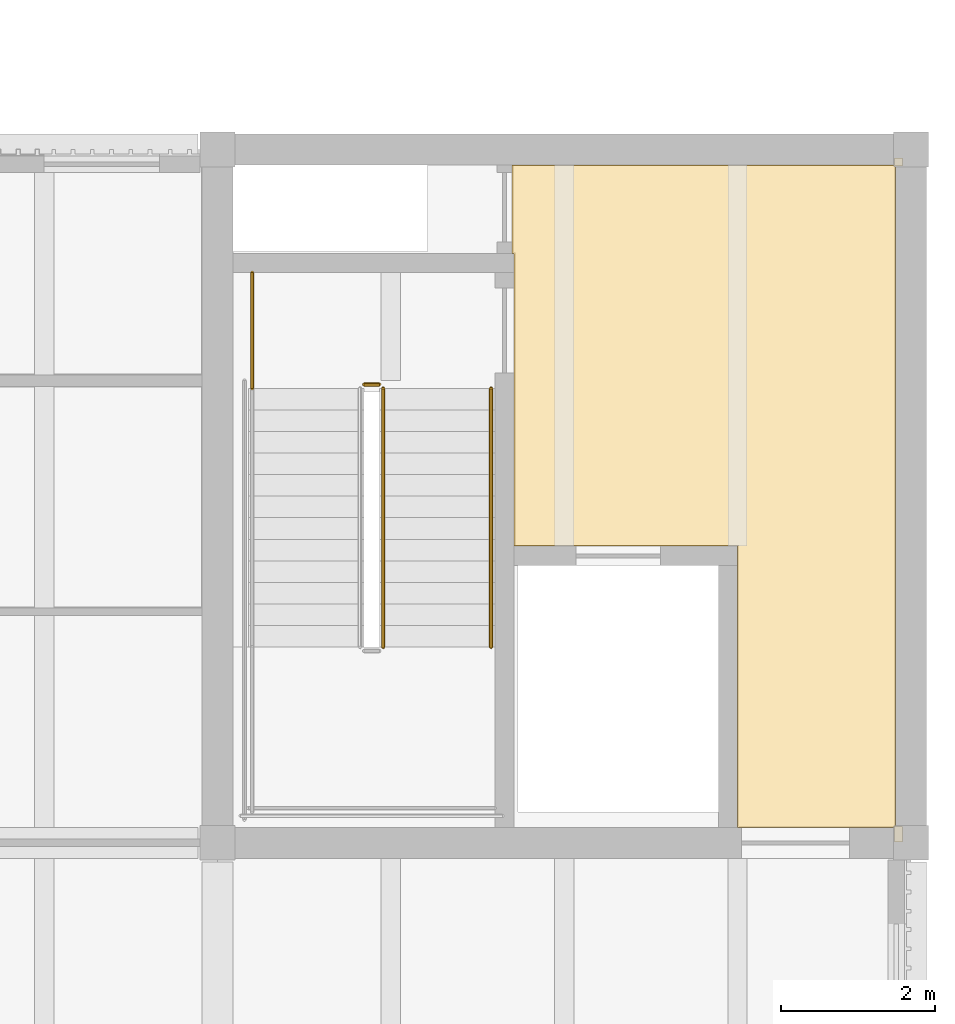
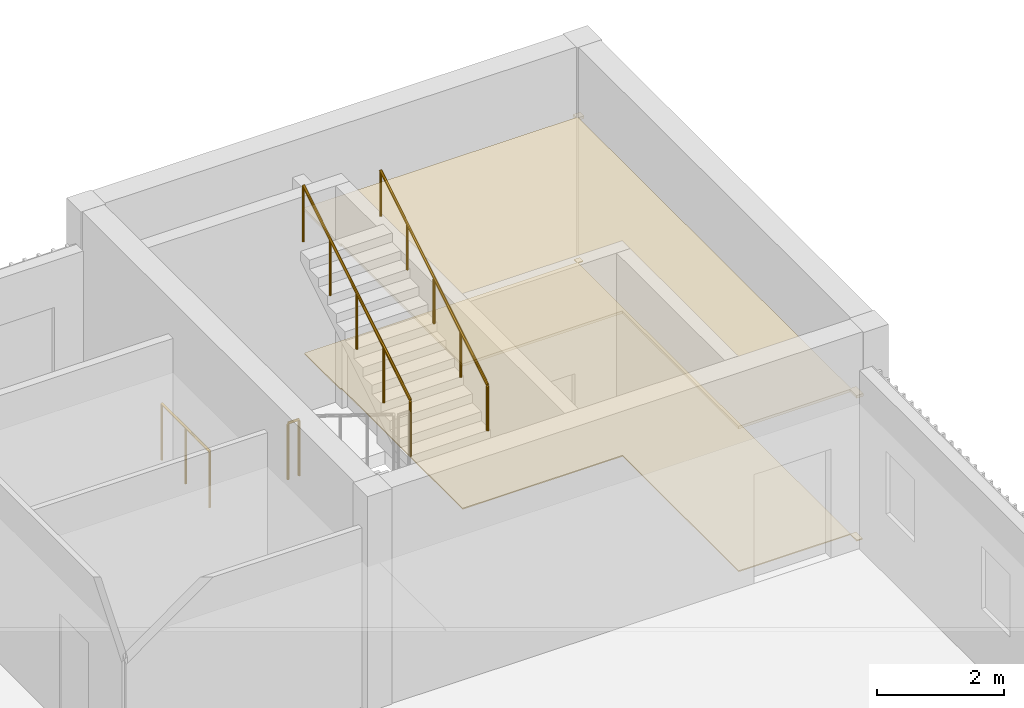
# One storey, part 88 of 88: 4 railings, 2 coverings.
"""IFC4 building model written with IfcOpenShell, lengths in metres."""

import ifcopenshell
import ifcopenshell.guid

model = None  # the IFC model being written
_history = None  # IfcOwnerHistory: only IFC2X3 demands one
_inside = {}  # id of a spatial element -> (the spatial element, [elements in it])
_under = {}  # id of a project, library or spatial element -> (it, [spatial elements below it])
_declared = {}  # id of a project -> (the project, [libraries it declares])
_typed = {}  # id of a type object -> (the type object, [elements of that type])
_made_of = {}  # id of a material, layer set ... -> (it, [elements and type objects made of it])


def new_model(schema):
    """Start an empty IFC model of exactly this schema.

    Asked for "IFC4X3", IfcOpenShell would pick the latest addendum, in which some entities
    have other attributes; the version numbers below select the first issue.
    IFC2X3 requires an IfcOwnerHistory on every rooted entity: one is made here for all.
    """
    global model, _history
    if schema == "IFC4X3":
        model = ifcopenshell.file(schema_version=(4, 3, 0, 0))
    else:
        model = ifcopenshell.file(schema=schema)
    _inside.clear()
    _under.clear()
    _declared.clear()
    _typed.clear()
    _made_of.clear()
    _history = None
    if model.schema == "IFC2X3":
        org = make("IfcOrganization", Name="unknown")
        user = make(
            "IfcPersonAndOrganization",
            ThePerson=make("IfcPerson", FamilyName="unknown"),
            TheOrganization=org,
        )
        app = make(
            "IfcApplication",
            ApplicationDeveloper=org,
            Version="unknown",
            ApplicationFullName="unknown",
            ApplicationIdentifier="unknown",
        )
        _history = make(
            "IfcOwnerHistory",
            OwningUser=user,
            OwningApplication=app,
            ChangeAction="ADDED",
            CreationDate=0,
        )
    return model


def make(cls, **values):
    """One entity of the class cls with the attributes given. An attribute that is None is left unset."""
    return model.create_entity(
        cls, **{name: value for name, value in values.items() if value is not None}
    )


def rooted(cls, **values):
    """An entity with a GlobalId (a new one), such as an element, a storey or a relation."""
    return make(cls, GlobalId=ifcopenshell.guid.new(), OwnerHistory=_history, **values)


def si_unit(unit_type, name, prefix=None):
    """IfcSIUnit, for example si_unit("LENGTHUNIT", "METRE", prefix="MILLI")."""
    return make("IfcSIUnit", UnitType=unit_type, Prefix=prefix, Name=name)


def assignment(units):
    """IfcUnitAssignment: the units of a project."""
    return None if units is None else make("IfcUnitAssignment", Units=units)


def point(xyz):
    """IfcCartesianPoint."""
    return None if xyz is None else make("IfcCartesianPoint", Coordinates=xyz)


def direction(xyz):
    """IfcDirection."""
    return None if xyz is None else make("IfcDirection", DirectionRatios=xyz)


def frame(location, z_axis=None, x_axis=None):
    """IfcAxis2Placement3D, a coordinate frame: its origin and axes. An axis left out is left unset."""
    return make(
        "IfcAxis2Placement3D",
        Location=point(location),
        Axis=direction(z_axis),
        RefDirection=direction(x_axis),
    )


def frame_2d(location, x_axis=None):
    """IfcAxis2Placement2D, a coordinate frame in the plane: its origin and x axis."""
    return make(
        "IfcAxis2Placement2D", Location=point(location), RefDirection=direction(x_axis)
    )


def origin():
    """The frame at (0, 0, 0) with its axes left unset."""
    return frame((0.0, 0.0, 0.0))


def origin_2d():
    """The frame at (0, 0) in the plane with its x axis left unset."""
    return frame_2d((0.0, 0.0))


def place(relative_to, where):
    """IfcLocalPlacement: puts the frame where relative to a parent placement (None: the world)."""
    return make(
        "IfcLocalPlacement", PlacementRelTo=relative_to, RelativePlacement=where
    )


def context(
    kind, dimensions, precision=None, world=None, true_north=None, identifier=None
):
    """IfcGeometricRepresentationContext, for example the 3D "Model" context."""
    return make(
        "IfcGeometricRepresentationContext",
        ContextIdentifier=identifier,
        ContextType=kind,
        CoordinateSpaceDimension=dimensions,
        Precision=precision,
        WorldCoordinateSystem=world,
        TrueNorth=true_north,
    )


def subcontext(parent, identifier, kind, view, scale=None):
    """IfcGeometricRepresentationSubContext, for example "Body" below "Model"."""
    return make(
        "IfcGeometricRepresentationSubContext",
        ContextIdentifier=identifier,
        ContextType=kind,
        ParentContext=parent,
        TargetScale=scale,
        TargetView=view,
    )


def project(units=None, contexts=None):
    """IfcProject with its units and contexts."""
    return rooted(
        "IfcProject",
        Name="project",
        RepresentationContexts=contexts,
        UnitsInContext=assignment(units),
    )


def spatial(cls, under=None, at=None, **own):
    """A site, building, storey or space (cls), placed at a placement, below another one or the project."""
    s = rooted(cls, ObjectPlacement=at, **own)
    if under is not None:
        _under.setdefault(under.id(), (under, []))[1].append(s)
    return s


def polyline(points):
    """IfcPolyline through the points."""
    return make("IfcPolyline", Points=[point(p) for p in points])


def profile(cls, at=None, kind="AREA", **sizes):
    """A parametric profile (cls). Its sizes go by their IFC names, for example OverallWidth=200.0."""
    return make(cls, ProfileType=kind, Position=at, **sizes)


def circle(**sizes):
    """IfcCircleProfileDef."""
    return profile("IfcCircleProfileDef", **sizes)


def outline(outer, holes=None, kind="AREA"):
    """IfcArbitraryClosedProfileDef: a profile drawn as a closed curve; with holes, ...WithVoids."""
    if holes is None:
        return make("IfcArbitraryClosedProfileDef", ProfileType=kind, OuterCurve=outer)
    return make(
        "IfcArbitraryProfileDefWithVoids",
        ProfileType=kind,
        OuterCurve=outer,
        InnerCurves=holes,
    )


def extrude(swept, where, along, depth):
    """IfcExtrudedAreaSolid: the profile swept, set in the frame where, extruded along a direction by depth."""
    return make(
        "IfcExtrudedAreaSolid",
        SweptArea=swept,
        Position=where,
        ExtrudedDirection=direction(along),
        Depth=depth,
    )


def shape(context_of_items, identifier, shape_type, items):
    """IfcShapeRepresentation: the items that make up one representation, for example the "Body"."""
    return make(
        "IfcShapeRepresentation",
        ContextOfItems=context_of_items,
        RepresentationIdentifier=identifier,
        RepresentationType=shape_type,
        Items=items,
    )


def material(Name=None, Category=None):
    """IfcMaterial."""
    return make("IfcMaterial", Name=Name, Category=Category)


def layer(
    of_material, thickness, ventilated=None, Name=None, Category=None, Priority=None
):
    """IfcMaterialLayer: one layer of a wall or slab, of a material (None: an air gap)."""
    return make(
        "IfcMaterialLayer",
        Material=of_material,
        LayerThickness=thickness,
        IsVentilated=ventilated,
        Name=Name,
        Category=Category,
        Priority=Priority,
    )


def layer_set(layers, Name=None):
    """IfcMaterialLayerSet."""
    return make("IfcMaterialLayerSet", MaterialLayers=layers, LayerSetName=Name)


def made_of(thing, what):
    """Note that an element or type object is made of a material, layer set ...; save() writes the relation."""
    if what is not None:
        _made_of.setdefault(what.id(), (what, []))[1].append(thing)
    return thing


def type_object(cls, material=None, **own):
    """A type object (cls), such as IfcWallType, which elements share."""
    return made_of(rooted(cls, **own), material)


def element(
    cls,
    number,
    at=None,
    inside=None,
    cuts=None,
    type_object=None,
    material=None,
    context=None,
    identifier="Body",
    shape_type=None,
    held_by="IfcProductDefinitionShape",
    body=None,
    shapes=None,
    **own,
):
    """One element of the class cls, such as IfcWall. Its Tag is "e" and its number.

    at: its placement. inside: the storey or other place that contains it. cuts: it is an
    opening in that element (IfcRelVoidsElement). A single representation is given by context,
    identifier, shape_type and body (its items); several are given by shapes. held_by: the class
    of the entity that holds the representations. save() writes the other relations.
    """
    e = rooted(cls, Tag="e%d" % number, ObjectPlacement=at, **own)
    if body is not None:
        shapes = [shape(context, identifier, shape_type, body)]
    if shapes is not None:
        e.Representation = make(held_by, Representations=shapes)
    if inside is not None:
        _inside.setdefault(inside.id(), (inside, []))[1].append(e)
    if cuts is not None:
        rooted(
            "IfcRelVoidsElement", RelatingBuildingElement=cuts, RelatedOpeningElement=e
        )
    if type_object is not None:
        _typed.setdefault(type_object.id(), (type_object, []))[1].append(e)
    return made_of(e, material)


def aggregate(whole, parts):
    """IfcRelAggregates: a whole, such as a stair, and the parts it consists of."""
    return rooted("IfcRelAggregates", RelatingObject=whole, RelatedObjects=parts)


def save(model, path):
    """Write the relations noted so far, then the file.

    IfcRelAggregates (storeys below a building ...), IfcRelContainedInSpatialStructure (elements
    in a storey), IfcRelDefinesByType, IfcRelAssociatesMaterial and IfcRelDeclares: one each for
    every whole, place, type object, material and project.
    """
    for whole, parts in _under.values():
        aggregate(whole, parts)
    for where, things in _inside.values():
        rooted(
            "IfcRelContainedInSpatialStructure",
            RelatedElements=things,
            RelatingStructure=where,
        )
    for kind, things in _typed.values():
        rooted("IfcRelDefinesByType", RelatedObjects=things, RelatingType=kind)
    for what, things in _made_of.values():
        rooted("IfcRelAssociatesMaterial", RelatedObjects=things, RelatingMaterial=what)
    for by, libraries in _declared.values():
        rooted("IfcRelDeclares", RelatingContext=by, RelatedDefinitions=libraries)
    model.write(path)


model = new_model("IFC4")

# Units and contexts
model_context = context("Model", 3, precision=1e-05, world=origin(), true_north=direction((0.0, 1.0)))
body_context = subcontext(model_context, "Body", "Model", "MODEL_VIEW")
ifc_project = project(units=[si_unit("LENGTHUNIT", "METRE"), si_unit("AREAUNIT", "SQUARE_METRE"), si_unit("VOLUMEUNIT", "CUBIC_METRE"), si_unit("PLANEANGLEUNIT", "RADIAN"), si_unit("MASSUNIT", "GRAM", prefix="KILO")], contexts=[model_context])

# Site, building, storey
site_placement = place(None, origin())
site = spatial("IfcSite", under=ifc_project, at=site_placement, CompositionType="ELEMENT")
building_placement = place(site_placement, origin())
building = spatial("IfcBuilding", under=site, at=building_placement, Name="Merrow Basin Faculty of Sciences", CompositionType="ELEMENT")
storey_placement = place(building_placement, frame((0.0, 0.0, 9.0)))
storey = spatial("IfcBuildingStorey", under=building, at=storey_placement, Name="L02", CompositionType="ELEMENT", Elevation=9.0)

# Covering
ifc_material_1 = material(Name="Polished terrazzo floor")
ifc_layer_1 = layer(ifc_material_1, 0.02001953125)
ifc_layer_set_1 = layer_set([ifc_layer_1], Name="Polished terrazzo floor")
covering_type_1 = type_object("IfcCoveringType", Name="Polished terrazzo floor", PredefinedType="FLOORING", material=ifc_layer_set_1)
covering_1_placement = place(storey_placement, origin())
element("IfcCovering", 1, at=covering_1_placement, inside=storey, type_object=covering_type_1, Name="Floor finish L02-C-011", PredefinedType="FLOORING", context=body_context, shape_type="SweptSolid", body=[
    extrude(outline(polyline([(71.889892578125, 132.889892578125), (71.889892578125, 132.784912109375), (71.7900390625, 132.784912109375), (71.7900390625, 124.215087890625), (71.889892578125, 124.215087890625), (71.889892578125, 124.010009765625), (71.784912109375, 124.010009765625), (71.784912109375, 124.2099609375), (69.760009765625, 124.2099609375), (69.760009765625, 127.860107421875), (66.860107421875, 127.860107421875), (66.860107421875, 131.659912109375), (66.8349609375, 131.659912109375), (66.8349609375, 132.7900390625), (71.784912109375, 132.7900390625), (71.784912109375, 132.889892578125), (71.889892578125, 132.889892578125)])), origin(), (0.0, 0.0, 1.0), 0.02001953125),
])

# Railings
ifc_material_2 = material(Name="Steel ASTM A36", Category="steel")
railing_type_1 = type_object("IfcRailingType", Name="Steel guard 1100", PredefinedType="GUARDRAIL", material=ifc_material_2)
railing_1_placement = place(storey_placement, frame((65.14990234375, 126.5400390625, 2.423095703125)))
element("IfcRailing", 2, at=railing_1_placement, inside=storey, type_object=railing_type_1, Name="L02 ST-V2-N stair guard 5", PredefinedType="GUARDRAIL", context=body_context, shape_type="SweptSolid", body=[
    extrude(circle(Radius=0.02392578125, at=origin_2d()), frame((0.0, 0.0, 1.076171875), z_axis=(0.0, 0.850606129759, 0.525803396734), x_axis=(-1.0, 0.0, 0.0)), (0.0, 0.0, 1.0), 3.949951171875),
    extrude(circle(Radius=0.02099609375, at=origin_2d()), origin(), (0.0, 0.0, 1.0), 1.052001953125),
    extrude(circle(Radius=0.02099609375, at=origin_2d()), frame((0.0, 0.83984375, 0.519287109375)), (0.0, 0.0, 1.0), 1.052001953125),
    extrude(circle(Radius=0.02099609375, at=origin_2d()), frame((0.0, 1.679931640625, 1.03857421875)), (0.0, 0.0, 1.0), 1.052001953125),
    extrude(circle(Radius=0.02099609375, at=origin_2d()), frame((0.0, 2.52001953125, 1.5576171875)), (0.0, 0.0, 1.0), 1.052001953125),
    extrude(circle(Radius=0.02099609375, at=origin_2d()), frame((0.0, 3.35986328125, 2.076904296875)), (0.0, 0.0, 1.0), 1.052001953125),
])
railing_2_placement = place(storey_placement, frame((64.89990234375, 129.949951171875, 0.0)))
element("IfcRailing", 3, at=railing_2_placement, inside=storey, type_object=railing_type_1, Name="L02 ST-V2-N stair guard 6", PredefinedType="GUARDRAIL", context=body_context, shape_type="SweptSolid", body=[
    extrude(circle(Radius=0.02392578125, at=origin_2d()), frame((0.0, 0.0, 1.076171875), z_axis=(1.0, 0.0, 0.0), x_axis=(0.0, 1.0, 0.0)), (0.0, 0.0, 1.0), 0.2001953125),
    extrude(circle(Radius=0.02099609375, at=origin_2d()), origin(), (0.0, 0.0, 1.0), 1.052001953125),
    extrude(circle(Radius=0.02099609375, at=origin_2d()), frame((0.2001953125, 0.0, 0.0)), (0.0, 0.0, 1.0), 1.052001953125),
])
railing_3_placement = place(storey_placement, frame((63.449951171875, 131.39990234375, 0.0)))
element("IfcRailing", 4, at=railing_3_placement, inside=storey, type_object=railing_type_1, Name="L02 ST-V2-N stair guard 7", PredefinedType="GUARDRAIL", context=body_context, shape_type="SweptSolid", body=[
    extrude(circle(Radius=0.02392578125, at=origin_2d()), frame((0.0, 0.0, 1.076171875), z_axis=(0.0, -1.0, 0.0), x_axis=(1.0, 0.0, 0.0)), (0.0, 0.0, 1.0), 1.5),
    extrude(circle(Radius=0.02099609375, at=origin_2d()), origin(), (0.0, 0.0, 1.0), 1.052001953125),
    extrude(circle(Radius=0.02099609375, at=origin_2d()), frame((0.0, -0.75, 0.0)), (0.0, 0.0, 1.0), 1.052001953125),
    extrude(circle(Radius=0.02099609375, at=origin_2d()), frame((0.0, -1.5, 0.0)), (0.0, 0.0, 1.0), 1.052001953125),
])
ifc_material_3 = material(Name="Steel ASTM A36", Category="steel")
railing_type_2 = type_object("IfcRailingType", Name="Steel handrail 900", PredefinedType="HANDRAIL", material=ifc_material_3)
railing_4_placement = place(storey_placement, frame((66.550048828125, 126.5400390625, 2.423095703125)))
element("IfcRailing", 5, at=railing_4_placement, inside=storey, type_object=railing_type_2, Name="L02 ST-V2-N stair handrail 2", PredefinedType="HANDRAIL", context=body_context, shape_type="SweptSolid", body=[
    extrude(circle(Radius=0.02392578125, at=origin_2d()), frame((0.0, 0.0, 0.8759765625), z_axis=(0.0, 0.850606129759, 0.525803396734), x_axis=(-1.0, 0.0, 0.0)), (0.0, 0.0, 1.0), 3.949951171875),
    extrude(circle(Radius=0.02099609375, at=origin_2d()), origin(), (0.0, 0.0, 1.0), 0.851806640625),
    extrude(circle(Radius=0.02099609375, at=origin_2d()), frame((0.0, 0.83984375, 0.519287109375)), (0.0, 0.0, 1.0), 0.851806640625),
    extrude(circle(Radius=0.02099609375, at=origin_2d()), frame((0.0, 1.679931640625, 1.03857421875)), (0.0, 0.0, 1.0), 0.851806640625),
    extrude(circle(Radius=0.02099609375, at=origin_2d()), frame((0.0, 2.52001953125, 1.5576171875)), (0.0, 0.0, 1.0), 0.851806640625),
    extrude(circle(Radius=0.02099609375, at=origin_2d()), frame((0.0, 3.35986328125, 2.076904296875)), (0.0, 0.0, 1.0), 0.851806640625),
])

# Covering
ifc_material_4 = material(Name="Mineral fibre ceiling tile")
ifc_layer_2 = layer(ifc_material_4, 0.050048828125)
ifc_layer_set_2 = layer_set([ifc_layer_2], Name="Suspended acoustic ceiling tile")
covering_type_2 = type_object("IfcCoveringType", Name="Suspended acoustic ceiling tile", PredefinedType="CEILING", material=ifc_layer_set_2)
covering_2_placement = place(storey_placement, frame((0.0, 0.0, 2.75)))
element("IfcCovering", 6, at=covering_2_placement, inside=storey, type_object=covering_type_2, Name="Ceiling L02-C-011", PredefinedType="CEILING", context=body_context, shape_type="SweptSolid", body=[
    extrude(outline(polyline([(71.89990234375, 132.89990234375), (71.89990234375, 132.77490234375), (71.800048828125, 132.77490234375), (71.800048828125, 124.22509765625), (71.89990234375, 124.22509765625), (71.89990234375, 124.0), (71.77490234375, 124.0), (71.77490234375, 124.199951171875), (69.75, 124.199951171875), (69.75, 127.85009765625), (66.85009765625, 127.85009765625), (66.85009765625, 131.64990234375), (66.824951171875, 131.64990234375), (66.824951171875, 132.800048828125), (71.77490234375, 132.800048828125), (71.77490234375, 132.89990234375), (71.89990234375, 132.89990234375)])), origin(), (0.0, 0.0, 1.0), 0.050048828125),
])

save(model, "model.ifc")
